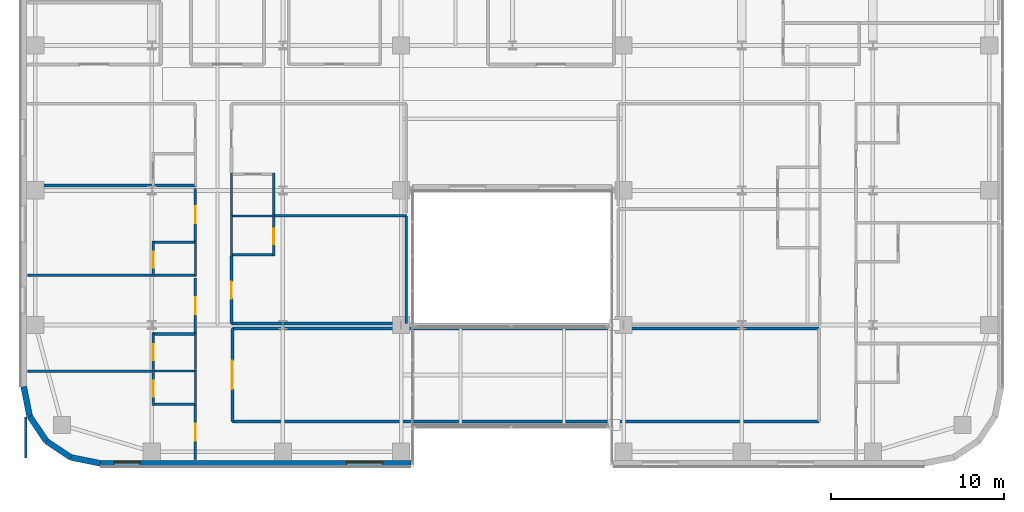
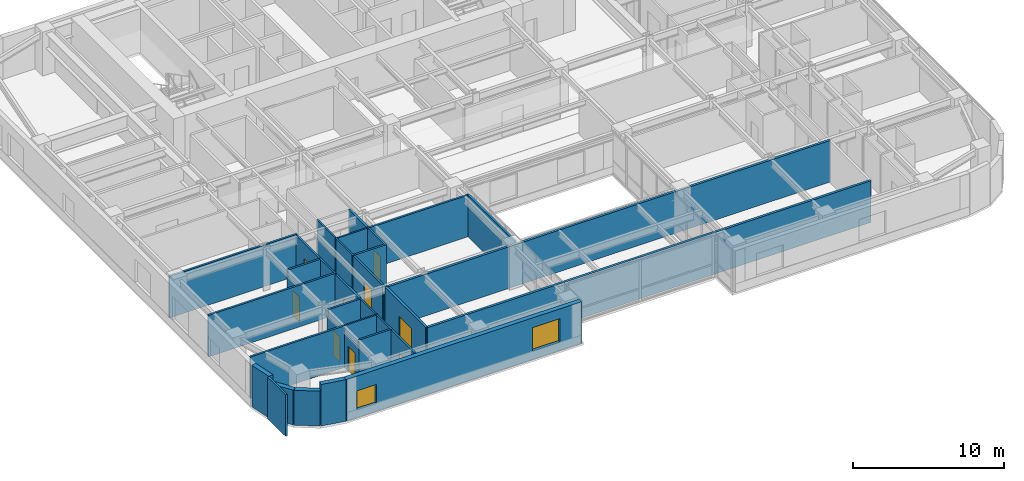
# One storey, part 21 of 31: 35 walls, 9 doors, 2 windows, 11 openings.
"""IFC4 building model written with IfcOpenShell, lengths in metres."""

from ifc_helpers import new_model, si_unit, direction, frame, frame_2d, origin, place, context, subcontext, project, spatial, rectangle, extrude, source, transform, mapped, material, layer, layer_set, type_object, type_shapes, element, fill, save


model = new_model("IFC4")

# Units and contexts
model_context = context("Model", 3, precision=1e-05, world=origin(), true_north=direction((0.0, 1.0)))
body_context = subcontext(model_context, "Body", "Model", "MODEL_VIEW")
ifc_project = project(units=[si_unit("LENGTHUNIT", "METRE"), si_unit("AREAUNIT", "SQUARE_METRE"), si_unit("VOLUMEUNIT", "CUBIC_METRE"), si_unit("PLANEANGLEUNIT", "RADIAN"), si_unit("MASSUNIT", "GRAM", prefix="KILO")], contexts=[model_context])

# Site, building, storey
site_placement = place(None, origin())
site = spatial("IfcSite", under=ifc_project, at=site_placement, CompositionType="ELEMENT")
building_placement = place(site_placement, origin())
building = spatial("IfcBuilding", under=site, at=building_placement, Name="Tolvann Quenvar Hotel", CompositionType="ELEMENT")
storey_placement = place(building_placement, frame((0.0, 0.0, 74.60009765625)))
storey = spatial("IfcBuildingStorey", under=building, at=storey_placement, Name="L18", CompositionType="ELEMENT", Elevation=74.60009765625)

# Walls
ifc_material_1 = material(Name="Kiln-fired red and buff architectural clay brickwork and terracotta masonry", Category="masonry")
ifc_layer_1 = layer(ifc_material_1, 0.35009765625)
ifc_layer_set_1 = layer_set([ifc_layer_1], Name="Kiln-fired red and buff architectural clay brickwork and terracotta masonry")
wall_type_1 = type_object("IfcWallType", Name="WALL_EXT_BRICK_350", PredefinedType="SOLIDWALL", material=ifc_layer_set_1)
for number, where, z_axis, x_axis, name in (
    (1, (0.514892578125, 2.907958984375, 0.0), (0.0, 0.0, 1.0), (0.55554893791, -0.831483840845, 0.0), "Exterior Chicago Brick Wall L18-E01"),
    (2, (1.473388671875, 1.473388671875, 0.0), (0.0, 0.0, 1.0), (0.831483840845, -0.55554893791, 0.0), "Exterior Chicago Brick Wall L18-E02"),
):
    element("IfcWall", number, at=place(storey_placement, frame(where, z_axis=z_axis, x_axis=x_axis)), inside=storey, type_object=wall_type_1, Name=name, PredefinedType="SOLIDWALL", context=body_context, shape_type="SweptSolid", body=[
        extrude(rectangle(XDim=1.725341796875, YDim=0.35009765625, at=frame_2d((0.86279296875, 0.0))), origin(), (0.0, 0.0, 1.0), 2.831787109375),
    ])
wall_1_placement = place(storey_placement, frame((2.907958984375, 0.514892578125, 0.0), z_axis=(0.0, 0.0, 1.0), x_axis=(0.980800971659, -0.195011420161, 0.0)))
element("IfcWall", 3, at=wall_1_placement, inside=storey, type_object=wall_type_1, Name="Exterior Chicago Brick Wall L18-E03", PredefinedType="SOLIDWALL", context=body_context, shape_type="SweptSolid", body=[
    extrude(rectangle(XDim=1.74267578125, YDim=0.35009765625, at=frame_2d((0.871337890625, 0.0))), origin(), (0.0, 0.0, 1.0), 3.369873046875),
])

# Wall, openings, windows
wall_2_placement = place(storey_placement, frame((4.6171875, 0.175048828125, 0.0), z_axis=(0.0, 0.0, 1.0), x_axis=(1.0, 0.0, 0.0)))
wall_2 = element("IfcWall", 4, at=wall_2_placement, inside=storey, type_object=wall_type_1, Name="Exterior Chicago Brick Wall L18-E04", PredefinedType="SOLIDWALL", context=body_context, shape_type="SweptSolid", body=[
    extrude(rectangle(XDim=18.0078125, YDim=0.35009765625, at=frame_2d((9.00390625, 0.0))), origin(), (0.0, 0.0, 1.0), 3.369873046875),
])
opening_1_placement = place(wall_2_placement, frame((14.257080078125, 0.0, 0.679931640625)))
opening_1 = element("IfcOpeningElement", 5, at=opening_1_placement, cuts=wall_2, Name="Opening W-02", PredefinedType="OPENING", context=body_context, shape_type="SweptSolid", body=[
    extrude(rectangle(XDim=2.10009765625, YDim=1.89990234375, at=frame_2d((1.050048828125, 0.949951171875))), frame((0.0, 0.18505859375, 0.0), z_axis=(0.0, -1.0, 0.0), x_axis=(1.0, 0.0, 0.0)), (0.0, 0.0, 1.0), 0.3701171875),
])
opening_2_placement = place(wall_2_placement, frame((0.800048828125, 0.0, 0.6201171875)))
opening_2 = element("IfcOpeningElement", 6, at=opening_2_placement, cuts=wall_2, Name="Opening W-08", PredefinedType="OPENING", context=body_context, shape_type="SweptSolid", body=[
    extrude(rectangle(XDim=1.5, YDim=1.550048828125, at=frame_2d((0.75, 0.77490234375))), frame((0.0, 0.18505859375, 0.0), z_axis=(0.0, -1.0, 0.0), x_axis=(1.0, 0.0, 0.0)), (0.0, 0.0, 1.0), 0.3701171875),
])
ifc_material_2 = material(Name="Thermally broken bronze-anodised aluminium frame with double low-E glazing", Category="aluminium")
window_type_1 = type_object("IfcWindowType", Name="WIN_COR_1500x2050", PartitioningType="SINGLE_PANEL", PredefinedType="WINDOW", material=ifc_material_2)
shared_shape_1 = source(origin(), body_context, "Body", "SweptSolid", [
    extrude(rectangle(XDim=1.5, YDim=1.550048828125, at=frame_2d((0.75, 0.77490234375))), frame((0.0, 0.090087890625, 0.0), z_axis=(0.0, -1.0, 0.0), x_axis=(1.0, 0.0, 0.0)), (0.0, 0.0, 1.0), 0.06005859375),
])
type_shapes(window_type_1, [shared_shape_1])
window_1_placement = place(opening_2_placement, origin())
window_1 = element("IfcWindow", 7, at=window_1_placement, inside=storey, type_object=window_type_1, Name="Chicago Window W-08 (EW-L18-E04-WD02)", OverallHeight=1.550048828125, OverallWidth=1.5, PartitioningType="SINGLE_PANEL", PredefinedType="WINDOW", context=body_context, shape_type="MappedRepresentation", body=[
    mapped(shared_shape_1, transform((0.0, 0.0, 0.0), x_axis=(1.0, 0.0, 0.0), y_axis=(0.0, 1.0, 0.0), z_axis=(0.0, 0.0, 1.0), scale=1.0)),
])
fill(opening_2, window_1)
window_type_2 = type_object("IfcWindowType", Name="WIN_CHI_2100x2050", PartitioningType="TRIPLE_PANEL_HORIZONTAL", PredefinedType="WINDOW", material=ifc_material_2)
shared_shape_2 = source(origin(), body_context, "Body", "SweptSolid", [
    extrude(rectangle(XDim=2.10009765625, YDim=1.89990234375, at=frame_2d((1.050048828125, 0.949951171875))), frame((0.0, 0.090087890625, 0.0), z_axis=(0.0, -1.0, 0.0), x_axis=(1.0, 0.0, 0.0)), (0.0, 0.0, 1.0), 0.06005859375),
])
type_shapes(window_type_2, [shared_shape_2])
window_2_placement = place(opening_1_placement, origin())
window_2 = element("IfcWindow", 8, at=window_2_placement, inside=storey, type_object=window_type_2, Name="Chicago Window W-02 (EW-L18-E04-W01)", OverallHeight=1.89990234375, OverallWidth=2.10009765625, PartitioningType="TRIPLE_PANEL_HORIZONTAL", PredefinedType="WINDOW", context=body_context, shape_type="MappedRepresentation", body=[
    mapped(shared_shape_2, transform((0.0, 0.0, 0.0), x_axis=(1.0, 0.0, 0.0), y_axis=(0.0, 1.0, 0.0), z_axis=(0.0, 0.0, 1.0), scale=1.0)),
])
fill(opening_1, window_2)

# Walls
wall_3_placement = place(storey_placement, frame((0.175048828125, 4.6171875, 0.0), z_axis=(0.0, 0.0, 1.0), x_axis=(0.195011420161, -0.980800971659, 0.0)))
element("IfcWall", 9, at=wall_3_placement, inside=storey, type_object=wall_type_1, Name="Exterior Chicago Brick Wall L18-E24", PredefinedType="SOLIDWALL", context=body_context, shape_type="SweptSolid", body=[
    extrude(rectangle(XDim=1.74267578125, YDim=0.35009765625, at=frame_2d((0.871337890625, 0.0))), origin(), (0.0, 0.0, 1.0), 3.369873046875),
])
ifc_material_3 = material(Name="Acoustic twin-stud fire-rated gypsum plasterboard partition")
ifc_layer_2 = layer(ifc_material_3, 0.179931640625)
ifc_layer_set_2 = layer_set([ifc_layer_2], Name="Acoustic twin-stud fire-rated gypsum plasterboard partition")
wall_type_2 = type_object("IfcWallType", Name="WALL_PART_ACOUSTIC_180", PredefinedType="PARTITIONING", material=ifc_layer_set_2)
for number, where, z_axis, x_axis, name in (
    (10, (12.27001953125, 2.60009765625, 0.0), (0.0, 0.0, 1.0), (1.0, 0.0, 0.0), "Interior Partition PT-SPC-L18-BRG-S"),
    (11, (12.27001953125, 8.0, 0.0), (0.0, 0.0, 1.0), (1.0, 0.0, 0.0), "Interior Partition PT-SPC-L18-BRG-N"),
):
    element("IfcWall", number, at=place(storey_placement, frame(where, z_axis=z_axis, x_axis=x_axis)), inside=storey, type_object=wall_type_2, Name=name, PredefinedType="PARTITIONING", context=body_context, shape_type="SweptSolid", body=[
        extrude(rectangle(XDim=34.010009765625, YDim=0.179931640625, at=frame_2d((17.0048828125, 0.0))), origin(), (0.0, 0.0, 1.0), 3.369873046875),
    ])

# Wall, opening, door
wall_4_placement = place(storey_placement, frame((12.27001953125, 2.60009765625, 0.0), z_axis=(0.0, 0.0, 1.0), x_axis=(0.0, 1.0, 0.0)))
wall_4 = element("IfcWall", 12, at=wall_4_placement, inside=storey, type_object=wall_type_2, Name="Interior Partition PT-SPC-L18-BRG-W", PredefinedType="PARTITIONING", context=body_context, shape_type="SweptSolid", body=[
    extrude(rectangle(XDim=5.39990234375, YDim=0.179931640625, at=frame_2d((2.699951171875, 0.0))), origin(), (0.0, 0.0, 1.0), 3.369873046875),
])
opening_3_placement = place(wall_4_placement, frame((1.875, 0.0, 0.0)))
opening_3 = element("IfcOpeningElement", 13, at=opening_3_placement, cuts=wall_4, Name="Opening AD-01", PredefinedType="OPENING", context=body_context, shape_type="SweptSolid", body=[
    extrude(rectangle(XDim=1.64990234375, YDim=2.14990234375, at=frame_2d((0.824951171875, 1.074951171875))), frame((0.0, 0.10009765625, 0.0), z_axis=(0.0, -1.0, 0.0), x_axis=(1.0, 0.0, 0.0)), (0.0, 0.0, 1.0), 0.199951171875),
])
ifc_material_4 = material(Name="Solid-core American oak acoustic fire door leaf in steel frame", Category="steel")
door_type_1 = type_object("IfcDoorType", Name="DOOR_SALON_1650", OperationType="NOTDEFINED", PredefinedType="DOOR", material=ifc_material_4)
shared_shape_3 = source(origin(), body_context, "Body", "SweptSolid", [
    extrude(rectangle(XDim=1.64990234375, YDim=2.14990234375, at=frame_2d((0.824951171875, 1.074951171875))), frame((0.0, 0.02490234375, 0.0), z_axis=(0.0, -1.0, 0.0), x_axis=(1.0, 0.0, 0.0)), (0.0, 0.0, 1.0), 0.050048828125),
])
type_shapes(door_type_1, [shared_shape_3])
door_1_placement = place(opening_3_placement, origin())
door_1 = element("IfcDoor", 14, at=door_1_placement, inside=storey, type_object=door_type_1, Name="Interior Door DOOR-SPC-L18-BRG", OperationType="DOUBLE_DOOR_SINGLE_SWING", OverallHeight=2.14990234375, OverallWidth=1.64990234375, PredefinedType="DOOR", context=body_context, shape_type="MappedRepresentation", body=[
    mapped(shared_shape_3, transform((0.0, 0.0, 0.0), x_axis=(1.0, 0.0, 0.0), y_axis=(0.0, 1.0, 0.0), z_axis=(0.0, 0.0, 1.0), scale=1.0)),
])
fill(opening_3, door_1)

# Walls
ifc_material_5 = material(Name="Moisture-resistant acoustic plumbing wall assembly")
ifc_layer_3 = layer(ifc_material_5, 0.1201171875)
ifc_layer_set_3 = layer_set([ifc_layer_3], Name="Moisture-resistant acoustic plumbing wall assembly")
wall_type_3 = type_object("IfcWallType", Name="WALL_PART_BATH_120", PredefinedType="PLUMBINGWALL", material=ifc_layer_set_3)
wall_5_placement = place(storey_placement, frame((7.610107421875, 5.52001953125, 0.0), z_axis=(0.0, 0.0, 1.0), x_axis=(1.0, 0.0, 0.0)))
element("IfcWall", 15, at=wall_5_placement, inside=storey, type_object=wall_type_3, Name="Non-Rated Plumbing Partition PT-SPC-L18-ENS-WO01-N", PredefinedType="PLUMBINGWALL", context=body_context, shape_type="SweptSolid", body=[
    extrude(rectangle(XDim=2.58984375, YDim=0.1201171875, at=frame_2d((1.294921875, 0.0))), origin(), (0.0, 0.0, 1.0), 3.369873046875),
])
wall_6_placement = place(storey_placement, frame((10.1298828125, 3.534912109375, 0.0), z_axis=(0.0, 0.0, 1.0), x_axis=(0.0, 1.0, 0.0)))
element("IfcWall", 16, at=wall_6_placement, inside=storey, type_object=wall_type_3, Name="Non-Rated Plumbing Partition PT-SPC-L18-ENS-WO01-E", PredefinedType="PLUMBINGWALL", context=body_context, shape_type="SweptSolid", body=[
    extrude(rectangle(XDim=2.05517578125, YDim=0.1201171875, at=frame_2d((1.027587890625, 0.0))), origin(), (0.0, 0.0, 1.0), 3.369873046875),
])
wall_7_placement = place(storey_placement, frame((10.1298828125, 5.610107421875, 0.0), z_axis=(0.0, 0.0, 1.0), x_axis=(0.0, 1.0, 0.0)))
element("IfcWall", 17, at=wall_7_placement, inside=storey, type_object=wall_type_3, Name="Non-Rated Plumbing Partition PT-SPC-L18-ENS-WO02-E", PredefinedType="PLUMBINGWALL", context=body_context, shape_type="SweptSolid", body=[
    extrude(rectangle(XDim=2.130859375, YDim=0.1201171875, at=frame_2d((1.0654296875, 0.0))), origin(), (0.0, 0.0, 1.0), 3.369873046875),
])
wall_8_placement = place(storey_placement, frame((10.1298828125, 11.010009765625, 0.0), z_axis=(0.0, 0.0, 1.0), x_axis=(0.0, 1.0, 0.0)))
element("IfcWall", 18, at=wall_8_placement, inside=storey, type_object=wall_type_3, Name="Non-Rated Plumbing Partition PT-SPC-L18-ENS-WO03-E", PredefinedType="PLUMBINGWALL", context=body_context, shape_type="SweptSolid", body=[
    extrude(rectangle(XDim=2.054931640625, YDim=0.1201171875, at=frame_2d((1.02734375, 0.0))), origin(), (0.0, 0.0, 1.0), 3.369873046875),
])
wall_9_placement = place(storey_placement, frame((12.14990234375, 14.52001953125, 0.0), z_axis=(0.0, 0.0, 1.0), x_axis=(1.0, 0.0, 0.0)))
element("IfcWall", 19, at=wall_9_placement, inside=storey, type_object=wall_type_3, Name="Non-Rated Plumbing Partition PT-SPC-L18-ENS-WI01-N", PredefinedType="PLUMBINGWALL", context=body_context, shape_type="SweptSolid", body=[
    extrude(rectangle(XDim=2.590087890625, YDim=0.1201171875, at=frame_2d((1.294921875, 0.0))), origin(), (0.0, 0.0, 1.0), 3.369873046875),
])
wall_10_placement = place(storey_placement, frame((12.219970703125, 12.199951171875, 0.0), z_axis=(0.0, 0.0, 1.0), x_axis=(0.0, 1.0, 0.0)))
element("IfcWall", 20, at=wall_10_placement, inside=storey, type_object=wall_type_3, Name="Non-Rated Plumbing Partition PT-SPC-L18-ENS-WI01-W", PredefinedType="PLUMBINGWALL", context=body_context, shape_type="SweptSolid", body=[
    extrude(rectangle(XDim=2.39013671875, YDim=0.1201171875, at=frame_2d((1.195068359375, 0.0))), origin(), (0.0, 0.0, 1.0), 3.369873046875),
])
wall_11_placement = place(storey_placement, frame((12.219970703125, 14.610107421875, 0.0), z_axis=(0.0, 0.0, 1.0), x_axis=(0.0, 1.0, 0.0)))
element("IfcWall", 21, at=wall_11_placement, inside=storey, type_object=wall_type_3, Name="Non-Rated Plumbing Partition PT-SPC-L18-ENS-WI02-W", PredefinedType="PLUMBINGWALL", context=body_context, shape_type="SweptSolid", body=[
    extrude(rectangle(XDim=2.389892578125, YDim=0.1201171875, at=frame_2d((1.19482421875, 0.0))), origin(), (0.0, 0.0, 1.0), 3.369873046875),
])

# Wall, opening, door
ifc_layer_4 = layer(ifc_material_3, 0.14990234375)
ifc_layer_set_4 = layer_set([ifc_layer_4], Name="Acoustic twin-stud fire-rated gypsum plasterboard partition")
wall_type_4 = type_object("IfcWallType", Name="WALL_PART_SUITE_150", PredefinedType="PARTITIONING", material=ifc_layer_set_4)
wall_12_placement = place(storey_placement, frame((7.679931640625, 3.534912109375, 0.0), z_axis=(0.0, 0.0, 1.0), x_axis=(0.0, 1.0, 0.0)))
wall_12 = element("IfcWall", 22, at=wall_12_placement, inside=storey, type_object=wall_type_4, Name="Interior Partition PT-SPC-L18-ENS-WO01-ENT", PredefinedType="PARTITIONING", context=body_context, shape_type="SweptSolid", body=[
    extrude(rectangle(XDim=2.05517578125, YDim=0.14990234375, at=frame_2d((1.027587890625, 0.0))), origin(), (0.0, 0.0, 1.0), 2.826904296875),
])
opening_4_placement = place(wall_12_placement, frame((0.49755859375, 0.0, 0.0)))
opening_4 = element("IfcOpeningElement", 23, at=opening_4_placement, cuts=wall_12, Name="Opening WD-01", PredefinedType="OPENING", context=body_context, shape_type="SweptSolid", body=[
    extrude(rectangle(XDim=0.919921875, YDim=2.010009765625, at=frame_2d((0.4599609375, 1.0048828125))), frame((0.0, 0.0849609375, 0.0), z_axis=(0.0, -1.0, 0.0), x_axis=(1.0, 0.0, 0.0)), (0.0, 0.0, 1.0), 0.169921875),
])
door_type_2 = type_object("IfcDoorType", Name="DOOR_WC_920", OperationType="NOTDEFINED", PredefinedType="DOOR", material=ifc_material_4)
shared_shape_4 = source(origin(), body_context, "Body", "SweptSolid", [
    extrude(rectangle(XDim=0.919921875, YDim=2.010009765625, at=frame_2d((0.4599609375, 1.0048828125))), frame((0.0, 0.02490234375, 0.0), z_axis=(0.0, -1.0, 0.0), x_axis=(1.0, 0.0, 0.0)), (0.0, 0.0, 1.0), 0.050048828125),
])
type_shapes(door_type_2, [shared_shape_4])
door_2_placement = place(opening_4_placement, origin())
door_2 = element("IfcDoor", 24, at=door_2_placement, inside=storey, type_object=door_type_2, Name="Interior Door DOOR-SPC-L18-ENS-WO01", OperationType="SINGLE_SWING_RIGHT", OverallHeight=2.010009765625, OverallWidth=0.919921875, PredefinedType="DOOR", context=body_context, shape_type="MappedRepresentation", body=[
    mapped(shared_shape_4, transform((0.0, 0.0, 0.0), x_axis=(1.0, 0.0, 0.0), y_axis=(0.0, 1.0, 0.0), z_axis=(0.0, 0.0, 1.0), scale=1.0)),
])
fill(opening_4, door_2)

# Wall
wall_13_placement = place(storey_placement, frame((7.610107421875, 3.60498046875, 0.0), z_axis=(0.0, 0.0, 1.0), x_axis=(1.0, 0.0, 0.0)))
element("IfcWall", 25, at=wall_13_placement, inside=storey, type_object=wall_type_4, Name="Interior Partition PT-SPC-L18-ENS-WO01-S", PredefinedType="PARTITIONING", context=body_context, shape_type="SweptSolid", body=[
    extrude(rectangle(XDim=2.58984375, YDim=0.14990234375, at=frame_2d((1.294921875, 0.0))), origin(), (0.0, 0.0, 1.0), 3.369873046875),
])

# Wall, opening, door
wall_14_placement = place(storey_placement, frame((7.679931640625, 5.610107421875, 0.0), z_axis=(0.0, 0.0, 1.0), x_axis=(0.0, 1.0, 0.0)))
wall_14 = element("IfcWall", 26, at=wall_14_placement, inside=storey, type_object=wall_type_4, Name="Interior Partition PT-SPC-L18-ENS-WO02-ENT", PredefinedType="PARTITIONING", context=body_context, shape_type="SweptSolid", body=[
    extrude(rectangle(XDim=2.130859375, YDim=0.14990234375, at=frame_2d((1.0654296875, 0.0))), origin(), (0.0, 0.0, 1.0), 2.826904296875),
])
opening_5_placement = place(wall_14_placement, frame((0.535400390625, 0.0, 0.0)))
opening_5 = element("IfcOpeningElement", 27, at=opening_5_placement, cuts=wall_14, Name="Opening WD-01", PredefinedType="OPENING", context=body_context, shape_type="SweptSolid", body=[
    extrude(rectangle(XDim=0.919921875, YDim=2.010009765625, at=frame_2d((0.4599609375, 1.0048828125))), frame((0.0, 0.0849609375, 0.0), z_axis=(0.0, -1.0, 0.0), x_axis=(1.0, 0.0, 0.0)), (0.0, 0.0, 1.0), 0.169921875),
])
door_3_placement = place(opening_5_placement, origin())
door_3 = element("IfcDoor", 28, at=door_3_placement, inside=storey, type_object=door_type_2, Name="Interior Door DOOR-SPC-L18-ENS-WO02", OperationType="SINGLE_SWING_LEFT", OverallHeight=2.010009765625, OverallWidth=0.919921875, PredefinedType="DOOR", context=body_context, shape_type="MappedRepresentation", body=[
    mapped(shared_shape_4, transform((0.0, 0.0, 0.0), x_axis=(1.0, 0.0, 0.0), y_axis=(0.0, 1.0, 0.0), z_axis=(0.0, 0.0, 1.0), scale=1.0)),
])
fill(opening_5, door_3)

# Wall
wall_15_placement = place(storey_placement, frame((7.610107421875, 7.6708984375, 0.0), z_axis=(0.0, 0.0, 1.0), x_axis=(1.0, 0.0, 0.0)))
element("IfcWall", 29, at=wall_15_placement, inside=storey, type_object=wall_type_4, Name="Interior Partition PT-SPC-L18-ENS-WO02-N", PredefinedType="PARTITIONING", context=body_context, shape_type="SweptSolid", body=[
    extrude(rectangle(XDim=2.58984375, YDim=0.14990234375, at=frame_2d((1.294921875, 0.0))), origin(), (0.0, 0.0, 1.0), 3.369873046875),
])

# Wall, opening, door
wall_16_placement = place(storey_placement, frame((7.679931640625, 11.010009765625, 0.0), z_axis=(0.0, 0.0, 1.0), x_axis=(0.0, 1.0, 0.0)))
wall_16 = element("IfcWall", 30, at=wall_16_placement, inside=storey, type_object=wall_type_4, Name="Interior Partition PT-SPC-L18-ENS-WO03-ENT", PredefinedType="PARTITIONING", context=body_context, shape_type="SweptSolid", body=[
    extrude(rectangle(XDim=2.054931640625, YDim=0.14990234375, at=frame_2d((1.02734375, 0.0))), origin(), (0.0, 0.0, 1.0), 2.826904296875),
])
opening_6_placement = place(wall_16_placement, frame((0.49755859375, 0.0, 0.0)))
opening_6 = element("IfcOpeningElement", 31, at=opening_6_placement, cuts=wall_16, Name="Opening WD-01", PredefinedType="OPENING", context=body_context, shape_type="SweptSolid", body=[
    extrude(rectangle(XDim=0.919921875, YDim=2.010009765625, at=frame_2d((0.4599609375, 1.0048828125))), frame((0.0, 0.0849609375, 0.0), z_axis=(0.0, -1.0, 0.0), x_axis=(1.0, 0.0, 0.0)), (0.0, 0.0, 1.0), 0.169921875),
])
door_4_placement = place(opening_6_placement, origin())
door_4 = element("IfcDoor", 32, at=door_4_placement, inside=storey, type_object=door_type_2, Name="Interior Door DOOR-SPC-L18-ENS-WO03", OperationType="SINGLE_SWING_RIGHT", OverallHeight=2.010009765625, OverallWidth=0.919921875, PredefinedType="DOOR", context=body_context, shape_type="MappedRepresentation", body=[
    mapped(shared_shape_4, transform((0.0, 0.0, 0.0), x_axis=(1.0, 0.0, 0.0), y_axis=(0.0, 1.0, 0.0), z_axis=(0.0, 0.0, 1.0), scale=1.0)),
])
fill(opening_6, door_4)

# Walls
wall_17_placement = place(storey_placement, frame((0.405029296875, 11.080078125, 0.0), z_axis=(0.0, 0.0, 1.0), x_axis=(1.0, 0.0, 0.0)))
element("IfcWall", 33, at=wall_17_placement, inside=storey, type_object=wall_type_4, Name="Interior Partition PT-SPC-L18-ENS-WO03-S", PredefinedType="PARTITIONING", context=body_context, shape_type="SweptSolid", body=[
    extrude(rectangle(XDim=9.794921875, YDim=0.14990234375, at=frame_2d((4.8974609375, 0.0))), origin(), (0.0, 0.0, 1.0), 3.369873046875),
])
wall_18_placement = place(storey_placement, frame((7.610107421875, 12.9951171875, 0.0), z_axis=(0.0, 0.0, 1.0), x_axis=(1.0, 0.0, 0.0)))
element("IfcWall", 34, at=wall_18_placement, inside=storey, type_object=wall_type_4, Name="Interior Partition PT-SPC-L18-ENS-WO03-N", PredefinedType="PARTITIONING", context=body_context, shape_type="SweptSolid", body=[
    extrude(rectangle(XDim=2.58984375, YDim=0.14990234375, at=frame_2d((1.294921875, 0.0))), origin(), (0.0, 0.0, 1.0), 3.369873046875),
])
wall_19_placement = place(storey_placement, frame((0.405029296875, 16.280029296875, 0.0), z_axis=(0.0, 0.0, 1.0), x_axis=(1.0, 0.0, 0.0)))
element("IfcWall", 35, at=wall_19_placement, inside=storey, type_object=wall_type_4, Name="Interior Partition PT-SPC-L18-ENS-WO04-S", PredefinedType="PARTITIONING", context=body_context, shape_type="SweptSolid", body=[
    extrude(rectangle(XDim=9.794921875, YDim=0.14990234375, at=frame_2d((4.8974609375, 0.0))), origin(), (0.0, 0.0, 1.0), 3.369873046875),
])

# Wall, opening, door
wall_20_placement = place(storey_placement, frame((14.669921875, 12.199951171875, 0.0), z_axis=(0.0, 0.0, 1.0), x_axis=(0.0, 1.0, 0.0)))
wall_20 = element("IfcWall", 36, at=wall_20_placement, inside=storey, type_object=wall_type_4, Name="Interior Partition PT-SPC-L18-ENS-WI01-ENT", PredefinedType="PARTITIONING", context=body_context, shape_type="SweptSolid", body=[
    extrude(rectangle(XDim=2.39013671875, YDim=0.14990234375, at=frame_2d((1.195068359375, 0.0))), origin(), (0.0, 0.0, 1.0), 3.369873046875),
])
opening_7_placement = place(wall_20_placement, frame((0.6650390625, 0.0, 0.0)))
opening_7 = element("IfcOpeningElement", 37, at=opening_7_placement, cuts=wall_20, Name="Opening WD-01", PredefinedType="OPENING", context=body_context, shape_type="SweptSolid", body=[
    extrude(rectangle(XDim=0.919921875, YDim=2.010009765625, at=frame_2d((0.4599609375, 1.0048828125))), frame((0.0, 0.0849609375, 0.0), z_axis=(0.0, -1.0, 0.0), x_axis=(1.0, 0.0, 0.0)), (0.0, 0.0, 1.0), 0.169921875),
])
door_5_placement = place(opening_7_placement, origin())
door_5 = element("IfcDoor", 38, at=door_5_placement, inside=storey, type_object=door_type_2, Name="Interior Door DOOR-SPC-L18-ENS-WI01", OperationType="SINGLE_SWING_RIGHT", OverallHeight=2.010009765625, OverallWidth=0.919921875, PredefinedType="DOOR", context=body_context, shape_type="MappedRepresentation", body=[
    mapped(shared_shape_4, transform((0.0, 0.0, 0.0), x_axis=(1.0, 0.0, 0.0), y_axis=(0.0, 1.0, 0.0), z_axis=(0.0, 0.0, 1.0), scale=1.0)),
])
fill(opening_7, door_5)

# Walls
wall_21_placement = place(storey_placement, frame((12.14990234375, 12.27001953125, 0.0), z_axis=(0.0, 0.0, 1.0), x_axis=(1.0, 0.0, 0.0)))
element("IfcWall", 39, at=wall_21_placement, inside=storey, type_object=wall_type_4, Name="Interior Partition PT-SPC-L18-ENS-WI01-S", PredefinedType="PARTITIONING", context=body_context, shape_type="SweptSolid", body=[
    extrude(rectangle(XDim=2.590087890625, YDim=0.14990234375, at=frame_2d((1.294921875, 0.0))), origin(), (0.0, 0.0, 1.0), 3.369873046875),
])
wall_22_placement = place(storey_placement, frame((14.669921875, 14.610107421875, 0.0), z_axis=(0.0, 0.0, 1.0), x_axis=(0.0, 1.0, 0.0)))
element("IfcWall", 40, at=wall_22_placement, inside=storey, type_object=wall_type_4, Name="Interior Partition PT-SPC-L18-ENS-WI02-ENT", PredefinedType="PARTITIONING", context=body_context, shape_type="SweptSolid", body=[
    extrude(rectangle(XDim=2.389892578125, YDim=0.14990234375, at=frame_2d((1.19482421875, 0.0))), origin(), (0.0, 0.0, 1.0), 3.369873046875),
])

# Wall, opening, door
wall_23_placement = place(storey_placement, frame((10.1298828125, 0.405029296875, 0.0), z_axis=(0.0, 0.0, 1.0), x_axis=(0.0, 1.0, 0.0)))
wall_23 = element("IfcWall", 41, at=wall_23_placement, inside=storey, type_object=wall_type_4, Name="Interior Partition PT-SPC-L18-RM-WO01-ENT", PredefinedType="PARTITIONING", context=body_context, shape_type="SweptSolid", body=[
    extrude(rectangle(XDim=3.119873046875, YDim=0.14990234375, at=frame_2d((1.56005859375, 0.0))), origin(), (0.0, 0.0, 1.0), 3.369873046875),
])
opening_8_placement = place(wall_23_placement, frame((1.077392578125, 0.0, 0.0)))
opening_8 = element("IfcOpeningElement", 42, at=opening_8_placement, cuts=wall_23, Name="Opening SD-01", PredefinedType="OPENING", context=body_context, shape_type="SweptSolid", body=[
    extrude(rectangle(XDim=0.97998046875, YDim=2.1201171875, at=frame_2d((0.489990234375, 1.06005859375))), frame((0.0, 0.0849609375, 0.0), z_axis=(0.0, -1.0, 0.0), x_axis=(1.0, 0.0, 0.0)), (0.0, 0.0, 1.0), 0.169921875),
])
door_type_3 = type_object("IfcDoorType", Name="DOOR_SUITE_980", OperationType="NOTDEFINED", PredefinedType="DOOR", material=ifc_material_4)
shared_shape_5 = source(origin(), body_context, "Body", "SweptSolid", [
    extrude(rectangle(XDim=0.97998046875, YDim=2.1201171875, at=frame_2d((0.489990234375, 1.06005859375))), frame((0.0, 0.02490234375, 0.0), z_axis=(0.0, -1.0, 0.0), x_axis=(1.0, 0.0, 0.0)), (0.0, 0.0, 1.0), 0.050048828125),
])
type_shapes(door_type_3, [shared_shape_5])
door_6_placement = place(opening_8_placement, origin())
door_6 = element("IfcDoor", 43, at=door_6_placement, inside=storey, type_object=door_type_3, Name="Interior Door DOOR-SPC-L18-RM-WO01", OperationType="SINGLE_SWING_RIGHT", OverallHeight=2.1201171875, OverallWidth=0.97998046875, PredefinedType="DOOR", context=body_context, shape_type="MappedRepresentation", body=[
    mapped(shared_shape_5, transform((0.0, 0.0, 0.0), x_axis=(1.0, 0.0, 0.0), y_axis=(0.0, 1.0, 0.0), z_axis=(0.0, 0.0, 1.0), scale=1.0)),
])
fill(opening_8, door_6)

# Walls
wall_24_placement = place(storey_placement, frame((0.405029296875, 5.52001953125, 0.0), z_axis=(0.0, 0.0, 1.0), x_axis=(1.0, 0.0, 0.0)))
element("IfcWall", 44, at=wall_24_placement, inside=storey, type_object=wall_type_4, Name="Interior Partition PT-SPC-L18-RM-WO01-E5", PredefinedType="PARTITIONING", context=body_context, shape_type="SweptSolid", body=[
    extrude(rectangle(XDim=7.2548828125, YDim=0.14990234375, at=frame_2d((3.62744140625, 0.0))), origin(), (0.0, 0.0, 1.0), 3.369873046875),
])
wall_25_placement = place(storey_placement, frame((0.300048828125, 0.47998046875, 0.0), z_axis=(0.0, 0.0, 1.0), x_axis=(0.0, 1.0, 0.0)))
element("IfcWall", 45, at=wall_25_placement, inside=storey, type_object=wall_type_4, Name="Interior Partition PT-SPC-L18-RM-WO01-E6", PredefinedType="PARTITIONING", context=body_context, shape_type="SweptSolid", body=[
    extrude(rectangle(XDim=2.385009765625, YDim=0.14990234375, at=frame_2d((1.1923828125, 0.0))), origin(), (0.0, 0.0, 1.0), 3.369873046875),
])

# Wall, opening, door
wall_26_placement = place(storey_placement, frame((10.1298828125, 7.7509765625, 0.0), z_axis=(0.0, 0.0, 1.0), x_axis=(0.0, 1.0, 0.0)))
wall_26 = element("IfcWall", 46, at=wall_26_placement, inside=storey, type_object=wall_type_4, Name="Interior Partition PT-SPC-L18-RM-WO02-ENT", PredefinedType="PARTITIONING", context=body_context, shape_type="SweptSolid", body=[
    extrude(rectangle(XDim=3.1689453125, YDim=0.14990234375, at=frame_2d((1.58447265625, 0.0))), origin(), (0.0, 0.0, 1.0), 3.369873046875),
])
opening_9_placement = place(wall_26_placement, frame((1.074462890625, 0.0, 0.0)))
opening_9 = element("IfcOpeningElement", 47, at=opening_9_placement, cuts=wall_26, Name="Opening SD-01", PredefinedType="OPENING", context=body_context, shape_type="SweptSolid", body=[
    extrude(rectangle(XDim=0.97998046875, YDim=2.1201171875, at=frame_2d((0.489990234375, 1.06005859375))), frame((0.0, 0.0849609375, 0.0), z_axis=(0.0, -1.0, 0.0), x_axis=(1.0, 0.0, 0.0)), (0.0, 0.0, 1.0), 0.169921875),
])
door_7_placement = place(opening_9_placement, origin())
door_7 = element("IfcDoor", 48, at=door_7_placement, inside=storey, type_object=door_type_3, Name="Interior Door DOOR-SPC-L18-RM-WO02", OperationType="SINGLE_SWING_LEFT", OverallHeight=2.1201171875, OverallWidth=0.97998046875, PredefinedType="DOOR", context=body_context, shape_type="MappedRepresentation", body=[
    mapped(shared_shape_5, transform((0.0, 0.0, 0.0), x_axis=(1.0, 0.0, 0.0), y_axis=(0.0, 1.0, 0.0), z_axis=(0.0, 0.0, 1.0), scale=1.0)),
])
fill(opening_9, door_7)

wall_27_placement = place(storey_placement, frame((10.1298828125, 13.074951171875, 0.0), z_axis=(0.0, 0.0, 1.0), x_axis=(0.0, 1.0, 0.0)))
wall_27 = element("IfcWall", 49, at=wall_27_placement, inside=storey, type_object=wall_type_4, Name="Interior Partition PT-SPC-L18-RM-WO03-ENT", PredefinedType="PARTITIONING", context=body_context, shape_type="SweptSolid", body=[
    extrude(rectangle(XDim=3.045166015625, YDim=0.14990234375, at=frame_2d((1.5224609375, 0.0))), origin(), (0.0, 0.0, 1.0), 3.369873046875),
])
opening_10_placement = place(wall_27_placement, frame((1.012451171875, 0.0, 0.0)))
opening_10 = element("IfcOpeningElement", 50, at=opening_10_placement, cuts=wall_27, Name="Opening SD-01", PredefinedType="OPENING", context=body_context, shape_type="SweptSolid", body=[
    extrude(rectangle(XDim=0.97998046875, YDim=2.1201171875, at=frame_2d((0.489990234375, 1.06005859375))), frame((0.0, 0.0849609375, 0.0), z_axis=(0.0, -1.0, 0.0), x_axis=(1.0, 0.0, 0.0)), (0.0, 0.0, 1.0), 0.169921875),
])
door_8_placement = place(opening_10_placement, origin())
door_8 = element("IfcDoor", 51, at=door_8_placement, inside=storey, type_object=door_type_3, Name="Interior Door DOOR-SPC-L18-RM-WO03", OperationType="SINGLE_SWING_RIGHT", OverallHeight=2.1201171875, OverallWidth=0.97998046875, PredefinedType="DOOR", context=body_context, shape_type="MappedRepresentation", body=[
    mapped(shared_shape_5, transform((0.0, 0.0, 0.0), x_axis=(1.0, 0.0, 0.0), y_axis=(0.0, 1.0, 0.0), z_axis=(0.0, 0.0, 1.0), scale=1.0)),
])
fill(opening_10, door_8)

wall_28_placement = place(storey_placement, frame((12.219970703125, 8.280029296875, 0.0), z_axis=(0.0, 0.0, 1.0), x_axis=(0.0, 1.0, 0.0)))
wall_28 = element("IfcWall", 52, at=wall_28_placement, inside=storey, type_object=wall_type_4, Name="Interior Partition PT-SPC-L18-RM-WI01-ENT", PredefinedType="PARTITIONING", context=body_context, shape_type="SweptSolid", body=[
    extrude(rectangle(XDim=3.909912109375, YDim=0.14990234375, at=frame_2d((1.955078125, 0.0))), origin(), (0.0, 0.0, 1.0), 3.369873046875),
])
opening_11_placement = place(wall_28_placement, frame((1.445068359375, 0.0, 0.0)))
opening_11 = element("IfcOpeningElement", 53, at=opening_11_placement, cuts=wall_28, Name="Opening SD-01", PredefinedType="OPENING", context=body_context, shape_type="SweptSolid", body=[
    extrude(rectangle(XDim=0.97998046875, YDim=2.1201171875, at=frame_2d((0.489990234375, 1.06005859375))), frame((0.0, 0.0849609375, 0.0), z_axis=(0.0, -1.0, 0.0), x_axis=(1.0, 0.0, 0.0)), (0.0, 0.0, 1.0), 0.169921875),
])
door_9_placement = place(opening_11_placement, origin())
door_9 = element("IfcDoor", 54, at=door_9_placement, inside=storey, type_object=door_type_3, Name="Interior Door DOOR-SPC-L18-RM-WI01", OperationType="SINGLE_SWING_RIGHT", OverallHeight=2.1201171875, OverallWidth=0.97998046875, PredefinedType="DOOR", context=body_context, shape_type="MappedRepresentation", body=[
    mapped(shared_shape_5, transform((0.0, 0.0, 0.0), x_axis=(1.0, 0.0, 0.0), y_axis=(0.0, 1.0, 0.0), z_axis=(0.0, 0.0, 1.0), scale=1.0)),
])
fill(opening_11, door_9)

# Walls
wall_29_placement = place(storey_placement, frame((12.219970703125, 8.280029296875, 0.0), z_axis=(0.0, 0.0, 1.0), x_axis=(1.0, 0.0, 0.0)))
element("IfcWall", 55, at=wall_29_placement, inside=storey, type_object=wall_type_4, Name="Interior Partition PT-SPC-L18-RM-WI01-E1", PredefinedType="PARTITIONING", context=body_context, shape_type="SweptSolid", body=[
    extrude(rectangle(XDim=10.130126953125, YDim=0.14990234375, at=frame_2d((5.06494140625, 0.0))), origin(), (0.0, 0.0, 1.0), 2.747802734375),
])
wall_30_placement = place(storey_placement, frame((22.35009765625, 8.280029296875, 0.0), z_axis=(0.0, 0.0, 1.0), x_axis=(0.0, 1.0, 0.0)))
element("IfcWall", 56, at=wall_30_placement, inside=storey, type_object=wall_type_4, Name="Interior Partition PT-SPC-L18-RM-WI01-E2", PredefinedType="PARTITIONING", context=body_context, shape_type="SweptSolid", body=[
    extrude(rectangle(XDim=6.239990234375, YDim=0.14990234375, at=frame_2d((3.1201171875, 0.0))), origin(), (0.0, 0.0, 1.0), 3.369873046875),
])
wall_31_placement = place(storey_placement, frame((14.68994140625, 14.52001953125, 0.0), z_axis=(0.0, 0.0, 1.0), x_axis=(1.0, 0.0, 0.0)))
element("IfcWall", 57, at=wall_31_placement, inside=storey, type_object=wall_type_4, Name="Interior Partition PT-SPC-L18-RM-WI01-E3", PredefinedType="PARTITIONING", context=body_context, shape_type="SweptSolid", body=[
    extrude(rectangle(XDim=7.66015625, YDim=0.14990234375, at=frame_2d((3.830078125, 0.0))), origin(), (0.0, 0.0, 1.0), 3.369873046875),
])

save(model, "model.ifc")
